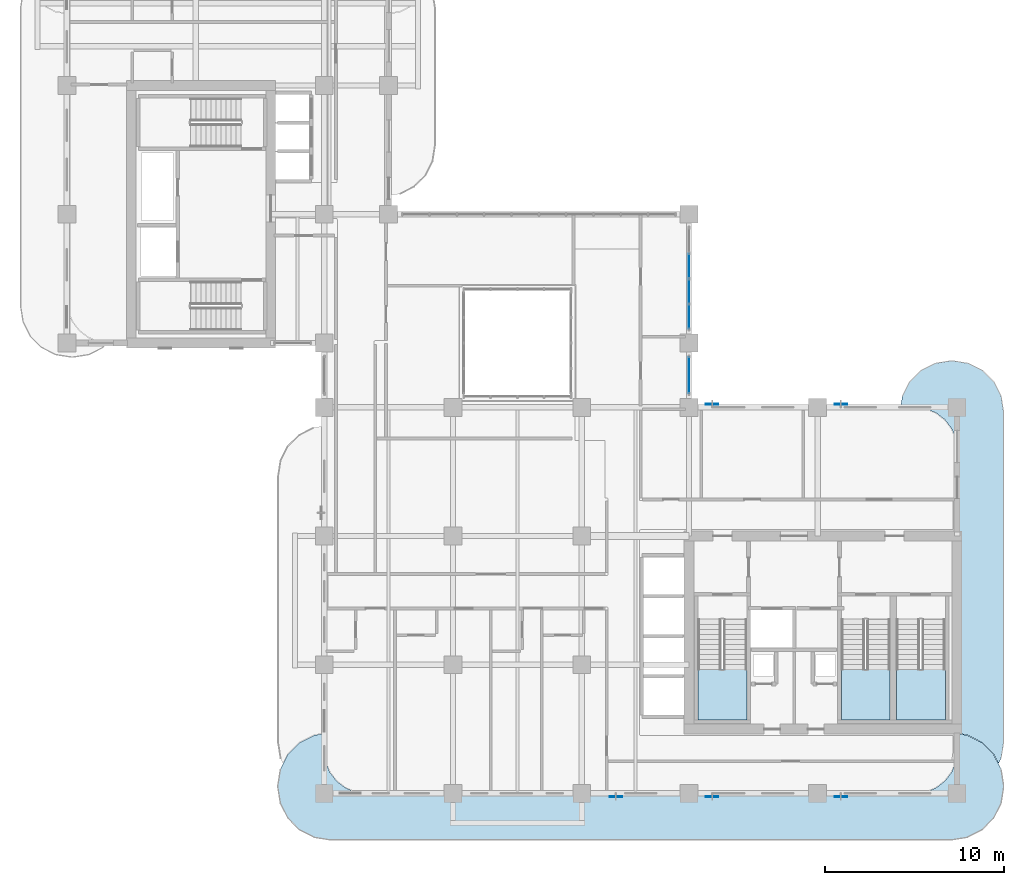
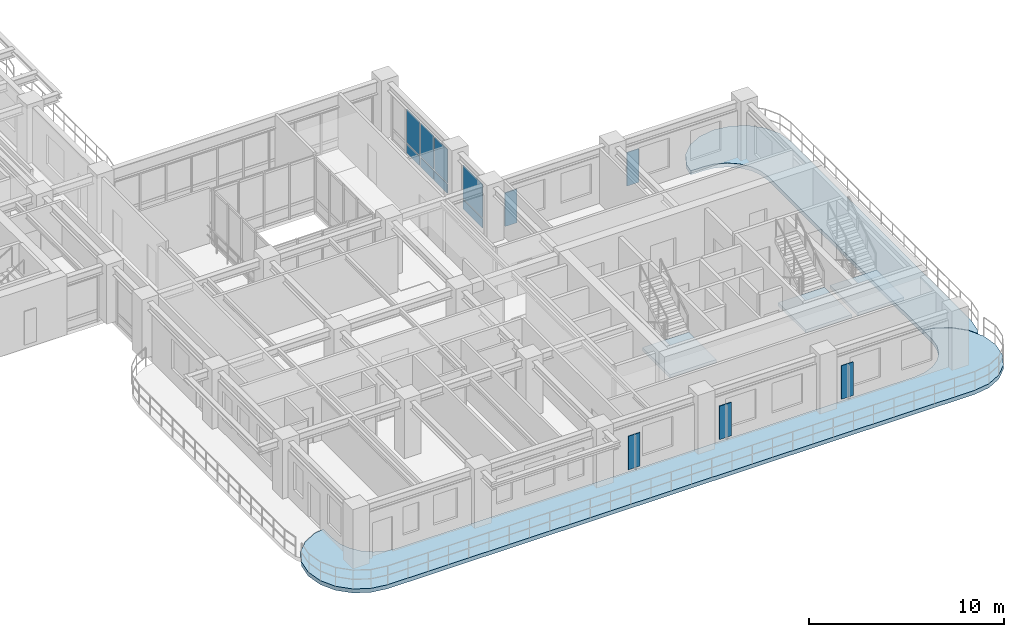
# One storey, part 9 of 20: 13 plates, 5 slabs, 5 elements without a shape of their own.
"""IFC4 building model written with IfcOpenShell, lengths in metres."""

from ifc_helpers import new_model, si_unit, derived_unit, direction, frame, origin, origin_2d, place, context, subcontext, project, spatial, polyline, rectangle, outline, extrude, source, transform, mapped, material, layer, layer_set, type_object, type_shapes, element, aggregate, save


model = new_model("IFC4")

# Units and contexts
model_context = context("Model", 3, precision=1e-05, world=origin(), true_north=direction((0.0, 1.0)))
body_context = subcontext(model_context, "Body", "Model", "MODEL_VIEW")
ifc_project = project(units=[si_unit("LENGTHUNIT", "METRE"), si_unit("AREAUNIT", "SQUARE_METRE"), si_unit("VOLUMEUNIT", "CUBIC_METRE"), si_unit("PLANEANGLEUNIT", "RADIAN"), si_unit("MASSUNIT", "GRAM", prefix="KILO"), si_unit("THERMODYNAMICTEMPERATUREUNIT", "KELVIN"), si_unit("POWERUNIT", "WATT"), derived_unit("THERMALTRANSMITTANCEUNIT", [(si_unit("POWERUNIT", "WATT"), 1), (si_unit("AREAUNIT", "SQUARE_METRE"), -1), (si_unit("THERMODYNAMICTEMPERATUREUNIT", "KELVIN"), -1)])], contexts=[model_context])

# Site, building, storey
site_placement = place(None, origin())
site = spatial("IfcSite", under=ifc_project, at=site_placement, CompositionType="ELEMENT")
building_placement = place(site_placement, origin())
building = spatial("IfcBuilding", under=site, at=building_placement, Name="Zahravan Archway Hotel and Residences", CompositionType="ELEMENT")
storey_placement = place(building_placement, frame((0.0, 0.0, 122.89990234375)))
storey = spatial("IfcBuildingStorey", under=building, at=storey_placement, Name="L30", CompositionType="ELEMENT", Elevation=122.89990234375)

# Slabs
ifc_material_1 = material(Name="Concrete C45/55", Category="concrete")
ifc_layer_1 = layer(ifc_material_1, 0.25, Name="Concrete C45/55", Category="concrete")
ifc_layer_set_1 = layer_set([ifc_layer_1], Name="Concrete C45/55")
slab_type_1 = type_object("IfcSlabType", Name="SLB-BALC-250", PredefinedType="FLOOR", material=ifc_layer_set_1)
slab_1_placement = place(storey_placement, frame((0.0, 0.0, -0.25)))
element("IfcSlab", 1, at=slab_1_placement, inside=storey, type_object=slab_type_1, Name="L30 Wing A South Rounded Balcony Band", PredefinedType="FLOOR", context=body_context, shape_type="SweptSolid", body=[
    extrude(outline(polyline([(50.361572265625, 3.255615234375), (51.18408203125, 2.836669921875), (51.836669921875, 2.18408203125), (52.255615234375, 1.361572265625), (52.39990234375, 0.449951171875), (52.39990234375, 0.35009765625), (52.255615234375, -0.5615234375), (51.836669921875, -1.384033203125), (51.18408203125, -2.03662109375), (50.361572265625, -2.45556640625), (49.449951171875, -2.60009765625), (14.75, -2.60009765625), (13.83837890625, -2.45556640625), (13.01611328125, -2.03662109375), (12.36328125, -1.384033203125), (11.9443359375, -0.5615234375), (11.800048828125, 0.35009765625), (11.800048828125, 0.449951171875), (11.9443359375, 1.361572265625), (12.36328125, 2.18408203125), (13.01611328125, 2.836669921875), (13.83837890625, 3.255615234375), (14.3798828125, 3.34130859375), (14.3798828125, 2.39990234375), (14.380126953125, 2.3974609375), (14.4619140625, 1.776123046875), (14.46240234375, 1.7744140625), (14.462646484375, 1.772705078125), (14.46337890625, 1.77099609375), (14.702880859375, 1.1923828125), (14.703857421875, 1.19091796875), (14.70458984375, 1.189208984375), (14.70556640625, 1.187744140625), (15.0869140625, 0.690673828125), (15.088134765625, 0.689453125), (15.08935546875, 0.688232421875), (15.0908203125, 0.68701171875), (15.587890625, 0.3056640625), (15.58935546875, 0.3046875), (15.5908203125, 0.3037109375), (15.59228515625, 0.302978515625), (16.171142578125, 0.063232421875), (16.1728515625, 0.062744140625), (16.174560546875, 0.062255859375), (16.17626953125, 0.06201171875), (16.79736328125, -0.019775390625), (16.800048828125, -0.02001953125), (47.39990234375, -0.02001953125), (47.402587890625, -0.019775390625), (48.023681640625, 0.06201171875), (48.025390625, 0.062255859375), (48.027099609375, 0.062744140625), (48.02880859375, 0.063232421875), (48.607666015625, 0.302978515625), (48.609130859375, 0.3037109375), (48.610595703125, 0.3046875), (48.6123046875, 0.3056640625), (49.109375, 0.68701171875), (49.110595703125, 0.688232421875), (49.11181640625, 0.689453125), (49.113037109375, 0.690673828125), (49.494384765625, 1.187744140625), (49.495361328125, 1.189208984375), (49.49609375, 1.19091796875), (49.4970703125, 1.1923828125), (49.73681640625, 1.77099609375), (49.7373046875, 1.772705078125), (49.73779296875, 1.7744140625), (49.738037109375, 1.776123046875), (49.81982421875, 2.3974609375), (49.820068359375, 2.39990234375), (49.820068359375, 3.34130859375), (50.361572265625, 3.255615234375)])), origin(), (0.0, 0.0, 1.0), 0.25),
])
slab_2_placement = place(storey_placement, frame((0.0, 0.0, -0.25)))
element("IfcSlab", 2, at=slab_2_placement, inside=storey, type_object=slab_type_1, Name="L30 Wing A East Rounded Balcony Band", PredefinedType="FLOOR", context=body_context, shape_type="SweptSolid", body=[
    extrude(outline(polyline([(46.739501953125, 22.230712890625), (47.144287109375, 23.025146484375), (47.77490234375, 23.65576171875), (48.5693359375, 24.060546875), (49.449951171875, 24.199951171875), (49.550048828125, 24.199951171875), (50.4306640625, 24.060546875), (51.22509765625, 23.65576171875), (51.855712890625, 23.025146484375), (52.260498046875, 22.230712890625), (52.39990234375, 21.35009765625), (52.39990234375, 2.85009765625), (52.260498046875, 1.96923828125), (52.114501953125, 1.6826171875), (51.8544921875, 2.193115234375), (51.853515625, 2.19482421875), (51.85205078125, 2.196533203125), (51.8505859375, 2.197998046875), (51.197998046875, 2.8505859375), (51.196533203125, 2.85205078125), (51.19482421875, 2.853515625), (51.193115234375, 2.8544921875), (50.37060546875, 3.2734375), (50.368896484375, 3.2744140625), (50.36669921875, 3.27490234375), (50.36474609375, 3.275390625), (49.822998046875, 3.361083984375), (49.8212890625, 3.361328125), (49.820068359375, 3.361328125), (49.820068359375, 19.199951171875), (49.81982421875, 19.20263671875), (49.738037109375, 19.82373046875), (49.73779296875, 19.825439453125), (49.7373046875, 19.8271484375), (49.73681640625, 19.828857421875), (49.4970703125, 20.40771484375), (49.49609375, 20.4091796875), (49.495361328125, 20.41064453125), (49.494384765625, 20.412109375), (49.113037109375, 20.9091796875), (49.11181640625, 20.91064453125), (49.110595703125, 20.911865234375), (49.109375, 20.9130859375), (48.6123046875, 21.29443359375), (48.610595703125, 21.29541015625), (48.609130859375, 21.296142578125), (48.607666015625, 21.297119140625), (48.02880859375, 21.53662109375), (48.027099609375, 21.537353515625), (48.025390625, 21.53759765625), (48.023681640625, 21.5380859375), (47.402587890625, 21.619873046875), (47.39990234375, 21.6201171875), (46.642822265625, 21.6201171875), (46.739501953125, 22.230712890625)])), origin(), (0.0, 0.0, 1.0), 0.25),
])

# Stair, slab
ifc_material_2 = material(Name="Concrete C50/60", Category="concrete")
stair_type = type_object("IfcStairType", Name="STR-CORE-1300", PredefinedType="HALF_TURN_STAIR", material=ifc_material_2)
stair_1_placement = place(storey_placement, origin())
stair_1 = element("IfcStair", 3, at=stair_1_placement, inside=storey, type_object=stair_type, Name="L30 Core A Exit Stair 1", PredefinedType="HALF_TURN_STAIR")
ifc_layer_2 = layer(ifc_material_2, 0.199951171875, Name="Concrete C50/60", Category="concrete")
ifc_layer_set_2 = layer_set([ifc_layer_2], Name="Concrete C50/60")
slab_type_2 = type_object("IfcSlabType", Name="SLB-LND-200", PredefinedType="LANDING", material=ifc_layer_set_2)
slab_3_placement = place(storey_placement, frame((0.0, 0.0, 1.650146484375)))
slab_3 = element("IfcSlab", 4, at=slab_3_placement, type_object=slab_type_2, Name="ST-A1 landing 1", PredefinedType="LANDING", context=body_context, shape_type="SweptSolid", body=[
    extrude(outline(polyline([(35.300048828125, 6.929931640625), (35.300048828125, 4.10009765625), (38.0400390625, 4.10009765625), (38.0400390625, 6.929931640625), (35.300048828125, 6.929931640625)])), origin(), (0.0, 0.0, 1.0), 0.199951171875),
])
aggregate(stair_1, [slab_3])

stair_2_placement = place(storey_placement, origin())
stair_2 = element("IfcStair", 5, at=stair_2_placement, inside=storey, type_object=stair_type, Name="L30 Core A Exit Stair 2", PredefinedType="HALF_TURN_STAIR")
slab_4_placement = place(storey_placement, frame((0.0, 0.0, 1.650146484375)))
slab_4 = element("IfcSlab", 6, at=slab_4_placement, type_object=slab_type_2, Name="ST-A2 landing 1", PredefinedType="LANDING", context=body_context, shape_type="SweptSolid", body=[
    extrude(outline(polyline([(43.320068359375, 6.929931640625), (43.320068359375, 4.10009765625), (46.06005859375, 4.10009765625), (46.06005859375, 6.929931640625), (43.320068359375, 6.929931640625)])), origin(), (0.0, 0.0, 1.0), 0.199951171875),
])
aggregate(stair_2, [slab_4])

stair_3_placement = place(storey_placement, origin())
stair_3 = element("IfcStair", 7, at=stair_3_placement, inside=storey, type_object=stair_type, Name="L30 Core A Exit Stair 3", PredefinedType="HALF_TURN_STAIR")
slab_5_placement = place(storey_placement, frame((0.0, 0.0, 1.650146484375)))
slab_5 = element("IfcSlab", 8, at=slab_5_placement, type_object=slab_type_2, Name="ST-A3 landing 1", PredefinedType="LANDING", context=body_context, shape_type="SweptSolid", body=[
    extrude(outline(polyline([(46.39990234375, 6.929931640625), (46.39990234375, 4.10009765625), (49.139892578125, 4.10009765625), (49.139892578125, 6.929931640625), (46.39990234375, 6.929931640625)])), origin(), (0.0, 0.0, 1.0), 0.199951171875),
])
aggregate(stair_3, [slab_5])

# Plates
ifc_material_3 = material(Name="Perforated Cast Bronze Jali Lattice")
ifc_layer_3 = layer(ifc_material_3, 0.044921875, Name="Perforated Cast Bronze Jali Lattice")
ifc_layer_set_3 = layer_set([ifc_layer_3], Name="Perforated Cast Bronze Jali Lattice")
plate_type_1 = type_object("IfcPlateType", Name="PLT-JALI-BAY", PredefinedType="USERDEFINED", material=ifc_layer_set_3)
shared_shape_1 = source(origin(), body_context, "Body", "SweptSolid", [
    extrude(rectangle(XDim=0.699951171875, YDim=0.044921875, at=origin_2d()), origin(), (0.0, 0.0, 1.0), 2.10009765625),
])
type_shapes(plate_type_1, [shared_shape_1])
for number, where, z_axis, x_axis, name in (
    (9, (30.7080078125, -0.177978515625, 0.25), (0.0, 0.0, 1.0), (1.0, 0.0, 0.0), "L30 Perforated Bronze Jali Pier Screen 01"),
    (10, (36.10009765625, -0.177978515625, 0.25), (0.0, 0.0, 1.0), (1.0, 0.0, 0.0), "L30 Perforated Bronze Jali Pier Screen 02"),
    (11, (43.300048828125, -0.177978515625, 0.25), (0.0, 0.0, 1.0), (1.0, 0.0, 0.0), "L30 Perforated Bronze Jali Pier Screen 03"),
    (12, (36.10009765625, 21.778076171875, 0.25), (0.0, 0.0, 1.0), (1.0, 0.0, 0.0), "L30 Perforated Bronze Jali Pier Screen 04"),
    (13, (43.300048828125, 21.778076171875, 0.25), (0.0, 0.0, 1.0), (1.0, 0.0, 0.0), "L30 Perforated Bronze Jali Pier Screen 05"),
):
    element("IfcPlate", number, at=place(storey_placement, frame(where, z_axis=z_axis, x_axis=x_axis)), inside=storey, type_object=plate_type_1, Name=name, ObjectType="SCREEN", PredefinedType="USERDEFINED", context=body_context, shape_type="MappedRepresentation", body=[
        mapped(shared_shape_1, transform((0.0, 0.0, 0.0), scale=1.0)),
    ])

# Curtain wall, plates
ifc_material_4 = material(Name="Bronze-Anodized Unitised Aluminium & Low-E Glass", Category="aluminium")
ifc_layer_4 = layer(ifc_material_4, 0.179931640625, Name="Bronze-Anodized Unitised Aluminium & Low-E Glass", Category="aluminium")
ifc_layer_set_4 = layer_set([ifc_layer_4], Name="Bronze-Anodized Unitised Aluminium & Low-E Glass")
curtain_wall_type = type_object("IfcCurtainWallType", Name="CW-TWR-FEAT", PredefinedType="NOTDEFINED", material=ifc_layer_set_4)
curtain_wall_1_placement = place(storey_placement, origin())
curtain_wall_1 = element("IfcCurtainWall", 14, at=curtain_wall_1_placement, inside=storey, type_object=curtain_wall_type, Name="L30 Curtain Wall CW-L30-HNG-E-1", PredefinedType="NOTDEFINED")
ifc_material_5 = material(Name="Insulated Terracotta Spandrel Panel", Category="masonry")
ifc_layer_5 = layer(ifc_material_5, 0.0400390625, Name="Insulated Terracotta Spandrel Panel", Category="masonry")
ifc_layer_set_5 = layer_set([ifc_layer_5], Name="Insulated Terracotta Spandrel Panel")
plate_type_2 = type_object("IfcPlateType", Name="CWP-SPN-40", PredefinedType="SHEET", material=ifc_layer_set_5)
shared_shape_2 = source(origin(), body_context, "Body", "SweptSolid", [
    extrude(rectangle(XDim=2.0, YDim=0.0400390625, at=origin_2d()), origin(), (0.0, 0.0, 1.0), 0.564453125),
])
plate_1_placement = place(storey_placement, frame((34.800048828125, 23.39990234375, 0.10009765625), z_axis=(0.0, 0.0, 1.0), x_axis=(0.0, 1.0, 0.0)))
plate_1 = element("IfcPlate", 15, at=plate_1_placement, type_object=plate_type_2, Name="CW-L30-HNG-E-1 Spandrel Panel 0", PredefinedType="SHEET", context=body_context, shape_type="MappedRepresentation", body=[
    mapped(shared_shape_2, transform((0.0, 0.0, 0.0), scale=1.0)),
])
ifc_material_6 = material(Name="Double-Silver Low-E Insulated Vision Glass", Category="glass")
ifc_layer_6 = layer(ifc_material_6, 0.028076171875, Name="Double-Silver Low-E Insulated Vision Glass", Category="glass")
ifc_layer_set_6 = layer_set([ifc_layer_6], Name="Double-Silver Low-E Insulated Vision Glass")
plate_type_3 = type_object("IfcPlateType", Name="CWP-GLZ-28", PredefinedType="CURTAIN_PANEL", material=ifc_layer_set_6)
shared_shape_3 = source(origin(), body_context, "Body", "SweptSolid", [
    extrude(rectangle(XDim=2.0, YDim=0.028076171875, at=origin_2d()), origin(), (0.0, 0.0, 1.0), 2.090576171875),
])
plate_2_placement = place(storey_placement, frame((34.800048828125, 23.39990234375, 0.74462890625), z_axis=(0.0, 0.0, 1.0), x_axis=(0.0, 1.0, 0.0)))
plate_2 = element("IfcPlate", 16, at=plate_2_placement, type_object=plate_type_3, Name="CW-L30-HNG-E-1 Low-E Vision Panel 0", PredefinedType="CURTAIN_PANEL", context=body_context, shape_type="MappedRepresentation", body=[
    mapped(shared_shape_3, transform((0.0, 0.0, 0.0), scale=1.0)),
])
aggregate(curtain_wall_1, [plate_1, plate_2])

curtain_wall_2_placement = place(storey_placement, origin())
curtain_wall_2 = element("IfcCurtainWall", 17, at=curtain_wall_2_placement, inside=storey, type_object=curtain_wall_type, Name="L30 Curtain Wall CW-L30-HNG-E-2", PredefinedType="NOTDEFINED")
shared_shape_4 = source(origin(), body_context, "Body", "SweptSolid", [
    extrude(rectangle(XDim=1.340087890625, YDim=0.0400390625, at=origin_2d()), origin(), (0.0, 0.0, 1.0), 0.564453125),
])
plate_3_placement = place(storey_placement, frame((34.800048828125, 26.669921875, 0.10009765625), z_axis=(0.0, 0.0, 1.0), x_axis=(0.0, 1.0, 0.0)))
plate_3 = element("IfcPlate", 18, at=plate_3_placement, type_object=plate_type_2, Name="CW-L30-HNG-E-2 Spandrel Panel 0", PredefinedType="SHEET", context=body_context, shape_type="MappedRepresentation", body=[
    mapped(shared_shape_4, transform((0.0, 0.0, 0.0), scale=1.0)),
])
plate_4_placement = place(storey_placement, frame((34.800048828125, 28.090087890625, 0.10009765625), z_axis=(0.0, 0.0, 1.0), x_axis=(0.0, 1.0, 0.0)))
plate_4 = element("IfcPlate", 19, at=plate_4_placement, type_object=plate_type_2, Name="CW-L30-HNG-E-2 Spandrel Panel 1", PredefinedType="SHEET", context=body_context, shape_type="MappedRepresentation", body=[
    mapped(shared_shape_4, transform((0.0, 0.0, 0.0), scale=1.0)),
])
plate_5_placement = place(storey_placement, frame((34.800048828125, 29.510009765625, 0.10009765625), z_axis=(0.0, 0.0, 1.0), x_axis=(0.0, 1.0, 0.0)))
plate_5 = element("IfcPlate", 20, at=plate_5_placement, type_object=plate_type_2, Name="CW-L30-HNG-E-2 Spandrel Panel 2", PredefinedType="SHEET", context=body_context, shape_type="MappedRepresentation", body=[
    mapped(shared_shape_4, transform((0.0, 0.0, 0.0), scale=1.0)),
])
shared_shape_5 = source(origin(), body_context, "Body", "SweptSolid", [
    extrude(rectangle(XDim=1.340087890625, YDim=0.028076171875, at=origin_2d()), origin(), (0.0, 0.0, 1.0), 2.090576171875),
])
plate_6_placement = place(storey_placement, frame((34.800048828125, 26.669921875, 0.74462890625), z_axis=(0.0, 0.0, 1.0), x_axis=(0.0, 1.0, 0.0)))
plate_6 = element("IfcPlate", 21, at=plate_6_placement, type_object=plate_type_3, Name="CW-L30-HNG-E-2 Low-E Vision Panel 0", PredefinedType="CURTAIN_PANEL", context=body_context, shape_type="MappedRepresentation", body=[
    mapped(shared_shape_5, transform((0.0, 0.0, 0.0), scale=1.0)),
])
plate_7_placement = place(storey_placement, frame((34.800048828125, 28.090087890625, 0.74462890625), z_axis=(0.0, 0.0, 1.0), x_axis=(0.0, 1.0, 0.0)))
plate_7 = element("IfcPlate", 22, at=plate_7_placement, type_object=plate_type_3, Name="CW-L30-HNG-E-2 Low-E Vision Panel 1", PredefinedType="CURTAIN_PANEL", context=body_context, shape_type="MappedRepresentation", body=[
    mapped(shared_shape_5, transform((0.0, 0.0, 0.0), scale=1.0)),
])
plate_8_placement = place(storey_placement, frame((34.800048828125, 29.510009765625, 0.74462890625), z_axis=(0.0, 0.0, 1.0), x_axis=(0.0, 1.0, 0.0)))
plate_8 = element("IfcPlate", 23, at=plate_8_placement, type_object=plate_type_3, Name="CW-L30-HNG-E-2 Low-E Vision Panel 2", PredefinedType="CURTAIN_PANEL", context=body_context, shape_type="MappedRepresentation", body=[
    mapped(shared_shape_5, transform((0.0, 0.0, 0.0), scale=1.0)),
])
aggregate(curtain_wall_2, [plate_3, plate_6, plate_4, plate_7, plate_5, plate_8])

save(model, "model.ifc")
